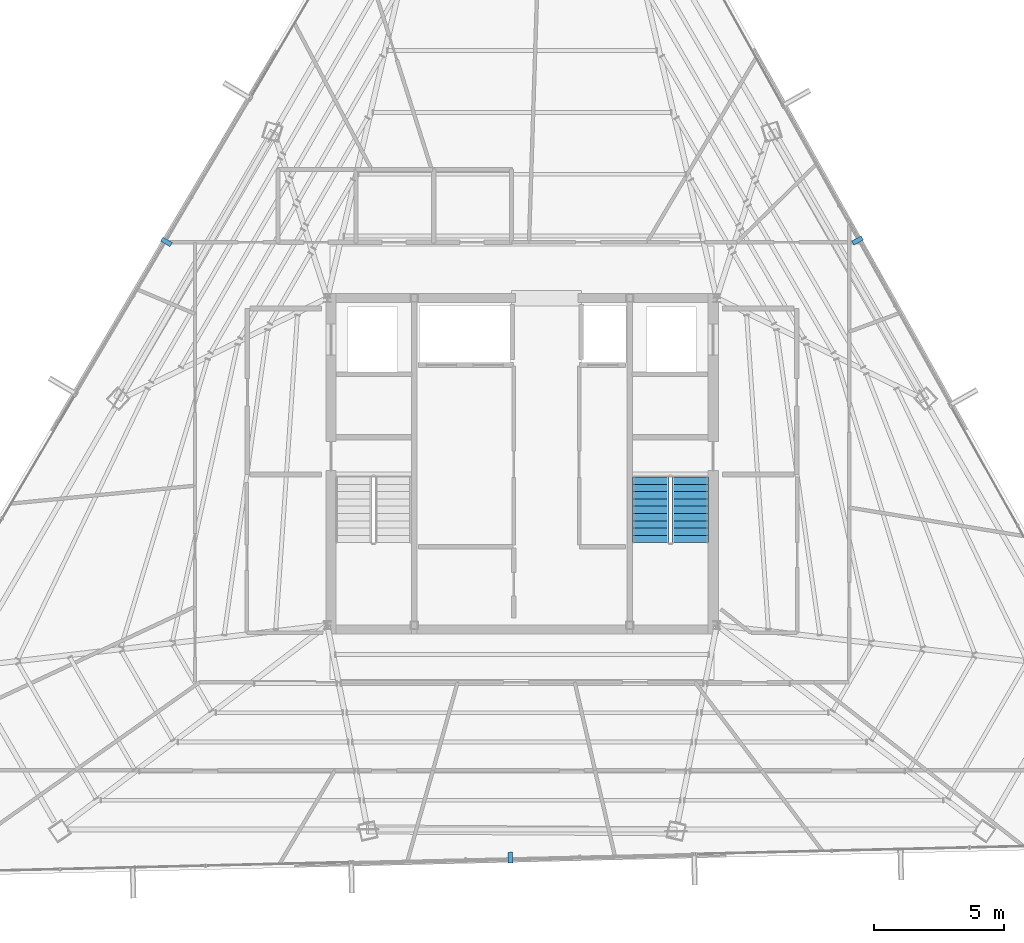
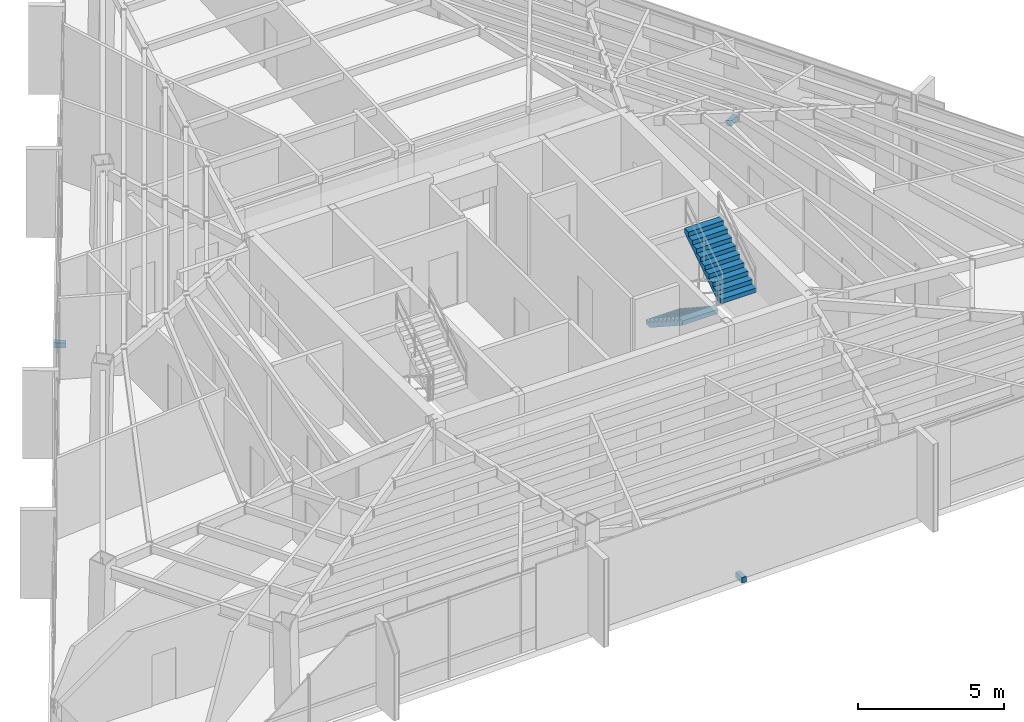
# One storey, part 43 of 45: 3 discrete accessories, 2 stair flights, 1 element without a shape of its own.
"""IFC4 building model written with IfcOpenShell, lengths in metres."""

import ifcopenshell
import ifcopenshell.guid

model = None  # the IFC model being written
_history = None  # IfcOwnerHistory: only IFC2X3 demands one
_inside = {}  # id of a spatial element -> (the spatial element, [elements in it])
_under = {}  # id of a project, library or spatial element -> (it, [spatial elements below it])
_declared = {}  # id of a project -> (the project, [libraries it declares])
_typed = {}  # id of a type object -> (the type object, [elements of that type])
_made_of = {}  # id of a material, layer set ... -> (it, [elements and type objects made of it])


def new_model(schema):
    """Start an empty IFC model of exactly this schema.

    Asked for "IFC4X3", IfcOpenShell would pick the latest addendum, in which some entities
    have other attributes; the version numbers below select the first issue.
    IFC2X3 requires an IfcOwnerHistory on every rooted entity: one is made here for all.
    """
    global model, _history
    if schema == "IFC4X3":
        model = ifcopenshell.file(schema_version=(4, 3, 0, 0))
    else:
        model = ifcopenshell.file(schema=schema)
    _inside.clear()
    _under.clear()
    _declared.clear()
    _typed.clear()
    _made_of.clear()
    _history = None
    if model.schema == "IFC2X3":
        org = make("IfcOrganization", Name="unknown")
        user = make(
            "IfcPersonAndOrganization",
            ThePerson=make("IfcPerson", FamilyName="unknown"),
            TheOrganization=org,
        )
        app = make(
            "IfcApplication",
            ApplicationDeveloper=org,
            Version="unknown",
            ApplicationFullName="unknown",
            ApplicationIdentifier="unknown",
        )
        _history = make(
            "IfcOwnerHistory",
            OwningUser=user,
            OwningApplication=app,
            ChangeAction="ADDED",
            CreationDate=0,
        )
    return model


def make(cls, **values):
    """One entity of the class cls with the attributes given. An attribute that is None is left unset."""
    return model.create_entity(
        cls, **{name: value for name, value in values.items() if value is not None}
    )


def rooted(cls, **values):
    """An entity with a GlobalId (a new one), such as an element, a storey or a relation."""
    return make(cls, GlobalId=ifcopenshell.guid.new(), OwnerHistory=_history, **values)


def si_unit(unit_type, name, prefix=None):
    """IfcSIUnit, for example si_unit("LENGTHUNIT", "METRE", prefix="MILLI")."""
    return make("IfcSIUnit", UnitType=unit_type, Prefix=prefix, Name=name)


def assignment(units):
    """IfcUnitAssignment: the units of a project."""
    return None if units is None else make("IfcUnitAssignment", Units=units)


def point(xyz):
    """IfcCartesianPoint."""
    return None if xyz is None else make("IfcCartesianPoint", Coordinates=xyz)


def direction(xyz):
    """IfcDirection."""
    return None if xyz is None else make("IfcDirection", DirectionRatios=xyz)


def frame(location, z_axis=None, x_axis=None):
    """IfcAxis2Placement3D, a coordinate frame: its origin and axes. An axis left out is left unset."""
    return make(
        "IfcAxis2Placement3D",
        Location=point(location),
        Axis=direction(z_axis),
        RefDirection=direction(x_axis),
    )


def frame_2d(location, x_axis=None):
    """IfcAxis2Placement2D, a coordinate frame in the plane: its origin and x axis."""
    return make(
        "IfcAxis2Placement2D", Location=point(location), RefDirection=direction(x_axis)
    )


def origin():
    """The frame at (0, 0, 0) with its axes left unset."""
    return frame((0.0, 0.0, 0.0))


def origin_2d():
    """The frame at (0, 0) in the plane with its x axis left unset."""
    return frame_2d((0.0, 0.0))


def place(relative_to, where):
    """IfcLocalPlacement: puts the frame where relative to a parent placement (None: the world)."""
    return make(
        "IfcLocalPlacement", PlacementRelTo=relative_to, RelativePlacement=where
    )


def context(
    kind, dimensions, precision=None, world=None, true_north=None, identifier=None
):
    """IfcGeometricRepresentationContext, for example the 3D "Model" context."""
    return make(
        "IfcGeometricRepresentationContext",
        ContextIdentifier=identifier,
        ContextType=kind,
        CoordinateSpaceDimension=dimensions,
        Precision=precision,
        WorldCoordinateSystem=world,
        TrueNorth=true_north,
    )


def subcontext(parent, identifier, kind, view, scale=None):
    """IfcGeometricRepresentationSubContext, for example "Body" below "Model"."""
    return make(
        "IfcGeometricRepresentationSubContext",
        ContextIdentifier=identifier,
        ContextType=kind,
        ParentContext=parent,
        TargetScale=scale,
        TargetView=view,
    )


def project(units=None, contexts=None):
    """IfcProject with its units and contexts."""
    return rooted(
        "IfcProject",
        Name="project",
        RepresentationContexts=contexts,
        UnitsInContext=assignment(units),
    )


def spatial(cls, under=None, at=None, **own):
    """A site, building, storey or space (cls), placed at a placement, below another one or the project."""
    s = rooted(cls, ObjectPlacement=at, **own)
    if under is not None:
        _under.setdefault(under.id(), (under, []))[1].append(s)
    return s


def polyline(points):
    """IfcPolyline through the points."""
    return make("IfcPolyline", Points=[point(p) for p in points])


def profile(cls, at=None, kind="AREA", **sizes):
    """A parametric profile (cls). Its sizes go by their IFC names, for example OverallWidth=200.0."""
    return make(cls, ProfileType=kind, Position=at, **sizes)


def rectangle(**sizes):
    """IfcRectangleProfileDef."""
    return profile("IfcRectangleProfileDef", **sizes)


def outline(outer, holes=None, kind="AREA"):
    """IfcArbitraryClosedProfileDef: a profile drawn as a closed curve; with holes, ...WithVoids."""
    if holes is None:
        return make("IfcArbitraryClosedProfileDef", ProfileType=kind, OuterCurve=outer)
    return make(
        "IfcArbitraryProfileDefWithVoids",
        ProfileType=kind,
        OuterCurve=outer,
        InnerCurves=holes,
    )


def extrude(swept, where, along, depth):
    """IfcExtrudedAreaSolid: the profile swept, set in the frame where, extruded along a direction by depth."""
    return make(
        "IfcExtrudedAreaSolid",
        SweptArea=swept,
        Position=where,
        ExtrudedDirection=direction(along),
        Depth=depth,
    )


def shape(context_of_items, identifier, shape_type, items):
    """IfcShapeRepresentation: the items that make up one representation, for example the "Body"."""
    return make(
        "IfcShapeRepresentation",
        ContextOfItems=context_of_items,
        RepresentationIdentifier=identifier,
        RepresentationType=shape_type,
        Items=items,
    )


def source(mapping_origin, context_of_items, identifier, shape_type, items):
    """IfcRepresentationMap: a shape defined once, which mapped items show again and again."""
    return make(
        "IfcRepresentationMap",
        MappingOrigin=mapping_origin,
        MappedRepresentation=shape(context_of_items, identifier, shape_type, items),
    )


def transform(
    local_origin,
    x_axis=None,
    y_axis=None,
    z_axis=None,
    scale=None,
    scale2=None,
    scale3=None,
    uniform=True,
):
    """IfcCartesianTransformationOperator3D, or its non-uniform kind. x_axis, y_axis, z_axis: its Axis1, 2, 3."""
    if uniform:
        return make(
            "IfcCartesianTransformationOperator3D",
            Axis1=direction(x_axis),
            Axis2=direction(y_axis),
            LocalOrigin=point(local_origin),
            Scale=scale,
            Axis3=direction(z_axis),
        )
    return make(
        "IfcCartesianTransformationOperator3DnonUniform",
        Axis1=direction(x_axis),
        Axis2=direction(y_axis),
        LocalOrigin=point(local_origin),
        Scale=scale,
        Axis3=direction(z_axis),
        Scale2=scale2,
        Scale3=scale3,
    )


def mapped(mapping_source, mapping_target):
    """IfcMappedItem: shows the shape of a source again, moved by a transform."""
    return make(
        "IfcMappedItem", MappingSource=mapping_source, MappingTarget=mapping_target
    )


def material(Name=None, Category=None):
    """IfcMaterial."""
    return make("IfcMaterial", Name=Name, Category=Category)


def made_of(thing, what):
    """Note that an element or type object is made of a material, layer set ...; save() writes the relation."""
    if what is not None:
        _made_of.setdefault(what.id(), (what, []))[1].append(thing)
    return thing


def type_object(cls, material=None, **own):
    """A type object (cls), such as IfcWallType, which elements share."""
    return made_of(rooted(cls, **own), material)


def type_shapes(of_type, sources):
    """Give a type object the sources (RepresentationMaps) that its elements show as mapped items."""
    of_type.RepresentationMaps = sources


def element(
    cls,
    number,
    at=None,
    inside=None,
    cuts=None,
    type_object=None,
    material=None,
    context=None,
    identifier="Body",
    shape_type=None,
    held_by="IfcProductDefinitionShape",
    body=None,
    shapes=None,
    **own,
):
    """One element of the class cls, such as IfcWall. Its Tag is "e" and its number.

    at: its placement. inside: the storey or other place that contains it. cuts: it is an
    opening in that element (IfcRelVoidsElement). A single representation is given by context,
    identifier, shape_type and body (its items); several are given by shapes. held_by: the class
    of the entity that holds the representations. save() writes the other relations.
    """
    e = rooted(cls, Tag="e%d" % number, ObjectPlacement=at, **own)
    if body is not None:
        shapes = [shape(context, identifier, shape_type, body)]
    if shapes is not None:
        e.Representation = make(held_by, Representations=shapes)
    if inside is not None:
        _inside.setdefault(inside.id(), (inside, []))[1].append(e)
    if cuts is not None:
        rooted(
            "IfcRelVoidsElement", RelatingBuildingElement=cuts, RelatedOpeningElement=e
        )
    if type_object is not None:
        _typed.setdefault(type_object.id(), (type_object, []))[1].append(e)
    return made_of(e, material)


def aggregate(whole, parts):
    """IfcRelAggregates: a whole, such as a stair, and the parts it consists of."""
    return rooted("IfcRelAggregates", RelatingObject=whole, RelatedObjects=parts)


def save(model, path):
    """Write the relations noted so far, then the file.

    IfcRelAggregates (storeys below a building ...), IfcRelContainedInSpatialStructure (elements
    in a storey), IfcRelDefinesByType, IfcRelAssociatesMaterial and IfcRelDeclares: one each for
    every whole, place, type object, material and project.
    """
    for whole, parts in _under.values():
        aggregate(whole, parts)
    for where, things in _inside.values():
        rooted(
            "IfcRelContainedInSpatialStructure",
            RelatedElements=things,
            RelatingStructure=where,
        )
    for kind, things in _typed.values():
        rooted("IfcRelDefinesByType", RelatedObjects=things, RelatingType=kind)
    for what, things in _made_of.values():
        rooted("IfcRelAssociatesMaterial", RelatedObjects=things, RelatingMaterial=what)
    for by, libraries in _declared.values():
        rooted("IfcRelDeclares", RelatingContext=by, RelatedDefinitions=libraries)
    model.write(path)


model = new_model("IFC4")

# Units and contexts
model_context = context("Model", 3, precision=1e-05, world=origin(), true_north=direction((0.0, 1.0)))
body_context = subcontext(model_context, "Body", "Model", "MODEL_VIEW")
ifc_project = project(units=[si_unit("LENGTHUNIT", "METRE"), si_unit("AREAUNIT", "SQUARE_METRE"), si_unit("VOLUMEUNIT", "CUBIC_METRE"), si_unit("PLANEANGLEUNIT", "RADIAN"), si_unit("MASSUNIT", "GRAM", prefix="KILO")], contexts=[model_context])

# Site, building, storey
site_placement = place(None, origin())
site = spatial("IfcSite", under=ifc_project, at=site_placement, CompositionType="ELEMENT")
building_placement = place(site_placement, origin())
building = spatial("IfcBuilding", under=site, at=building_placement, Name="Caelisora Broadcast Tower", CompositionType="ELEMENT")
storey_placement = place(building_placement, frame((0.0, 0.0, 262.699951171875)))
storey = spatial("IfcBuildingStorey", under=building, at=storey_placement, Name="L69", CompositionType="ELEMENT", Elevation=262.699951171875)

# Stair, stair flights
ifc_material_1 = material(Name="Concrete 40 MPa (AS 3600 N40)", Category="concrete")
stair_type = type_object("IfcStairType", Name="ST-2", PredefinedType="HALF_TURN_STAIR", material=ifc_material_1)
stair_placement = place(storey_placement, origin())
stair = element("IfcStair", 1, at=stair_placement, inside=storey, type_object=stair_type, Name="L69 East Fire-Isolated Tower Stair", PredefinedType="HALF_TURN_STAIR")
stair_flight_type = type_object("IfcStairFlightType", Name="STF-4", PredefinedType="STRAIGHT", material=ifc_material_1)
stair_flight_1_placement = place(storey_placement, frame((42.9599609375, 23.10009765625, 0.0), z_axis=(0.0, 0.0, 1.0), x_axis=(0.0, -1.0, 0.0)))
stair_flight_1 = element("IfcStairFlight", 2, at=stair_flight_1_placement, type_object=stair_flight_type, Name="ST-2 flight 1", NumberOfRisers=10, NumberOfTreads=9, PredefinedType="STRAIGHT", RiserHeight=0.1825, TreadLength=0.28, context=body_context, shape_type="SweptSolid", body=[
    extrude(outline(polyline([(0.0, 0.0), (0.0, 0.1826171875), (0.280029296875, 0.1826171875), (0.280029296875, 0.364990234375), (0.56005859375, 0.364990234375), (0.56005859375, 0.547607421875), (0.840087890625, 0.547607421875), (0.840087890625, 0.72998046875), (1.1201171875, 0.72998046875), (1.1201171875, 0.91259765625), (1.39990234375, 0.91259765625), (1.39990234375, 1.094970703125), (1.679931640625, 1.094970703125), (1.679931640625, 1.277587890625), (1.9599609375, 1.277587890625), (1.9599609375, 1.4599609375), (2.239990234375, 1.4599609375), (2.239990234375, 1.642578125), (2.52001953125, 1.642578125), (2.52001953125, 1.824951171875), (2.52001953125, 1.463623046875), (0.2744140625, 0.0), (0.0, 0.0)])), frame((0.0, 0.699951171875, 0.0), z_axis=(0.0, -1.0, 0.0), x_axis=(1.0, 0.0, 0.0)), (0.0, 0.0, 1.0), 1.39990234375),
])
stair_flight_2_placement = place(storey_placement, frame((44.47998046875, 20.580078125, 1.824951171875), z_axis=(0.0, 0.0, 1.0), x_axis=(0.0, 1.0, 0.0)))
stair_flight_2 = element("IfcStairFlight", 3, at=stair_flight_2_placement, type_object=stair_flight_type, Name="ST-2 flight 2", NumberOfRisers=10, NumberOfTreads=9, PredefinedType="STRAIGHT", RiserHeight=0.1825, TreadLength=0.28, context=body_context, shape_type="SweptSolid", body=[
    extrude(outline(polyline([(0.0, 0.0), (0.0, 0.1826171875), (0.280029296875, 0.1826171875), (0.280029296875, 0.364990234375), (0.56005859375, 0.364990234375), (0.56005859375, 0.547607421875), (0.840087890625, 0.547607421875), (0.840087890625, 0.72998046875), (1.1201171875, 0.72998046875), (1.1201171875, 0.91259765625), (1.39990234375, 0.91259765625), (1.39990234375, 1.094970703125), (1.679931640625, 1.094970703125), (1.679931640625, 1.277587890625), (1.9599609375, 1.277587890625), (1.9599609375, 1.4599609375), (2.239990234375, 1.4599609375), (2.239990234375, 1.642578125), (2.52001953125, 1.642578125), (2.52001953125, 1.824951171875), (2.52001953125, 1.463623046875), (0.2744140625, 0.0), (0.0, 0.0)])), frame((0.0, 0.699951171875, 0.0), z_axis=(0.0, -1.0, 0.0), x_axis=(1.0, 0.0, 0.0)), (0.0, 0.0, 1.0), 1.39990234375),
])
aggregate(stair, [stair_flight_1, stair_flight_2])

# Discrete accessories
ifc_material_2 = material(Name="Steel Grade 350 (AS/NZS 3679.1)", Category="steel")
discrete_accessory_type = type_object("IfcDiscreteAccessoryType", Name="BRK-1", PredefinedType="BRACKET", material=ifc_material_2)
shared_shape = source(origin(), body_context, "Body", "SweptSolid", [
    extrude(rectangle(XDim=0.179931640625, YDim=0.419921875, at=origin_2d()), origin(), (0.0, 0.0, 1.0), 0.219970703125),
])
type_shapes(discrete_accessory_type, [shared_shape])
for number, where, z_axis, x_axis, name in (
    (4, (24.302490234375, 32.16259765625, -0.16015625), (0.0, 0.0, 1.0), (-0.508440380454, -0.861097195167, 0.0), "L69 solar screen outrigger bracket #1"),
    (5, (37.55224609375, 8.44091796875, -0.16015625), (0.0, 0.0, 1.0), (0.999718303037, 0.023734248954, 0.0), "L69 solar screen outrigger bracket #2"),
    (6, (50.9248046875, 32.215087890625, -0.16015625), (0.0, 0.0, 1.0), (-0.487859659139, 0.87292207727, 0.0), "L69 solar screen outrigger bracket #3"),
):
    element("IfcDiscreteAccessory", number, at=place(storey_placement, frame(where, z_axis=z_axis, x_axis=x_axis)), inside=storey, type_object=discrete_accessory_type, Name=name, PredefinedType="BRACKET", context=body_context, shape_type="MappedRepresentation", body=[
        mapped(shared_shape, transform((0.0, 0.0, 0.0), scale=1.0)),
    ])

save(model, "model.ifc")
